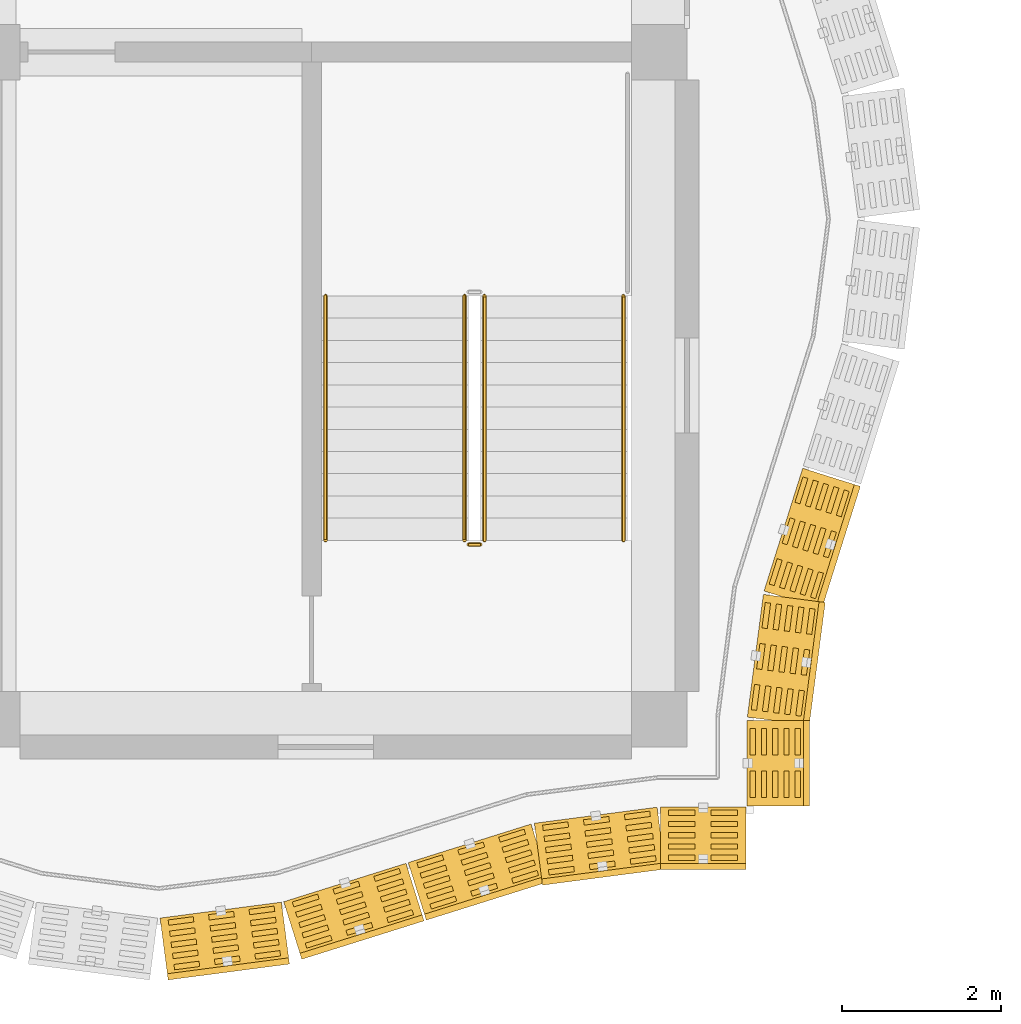
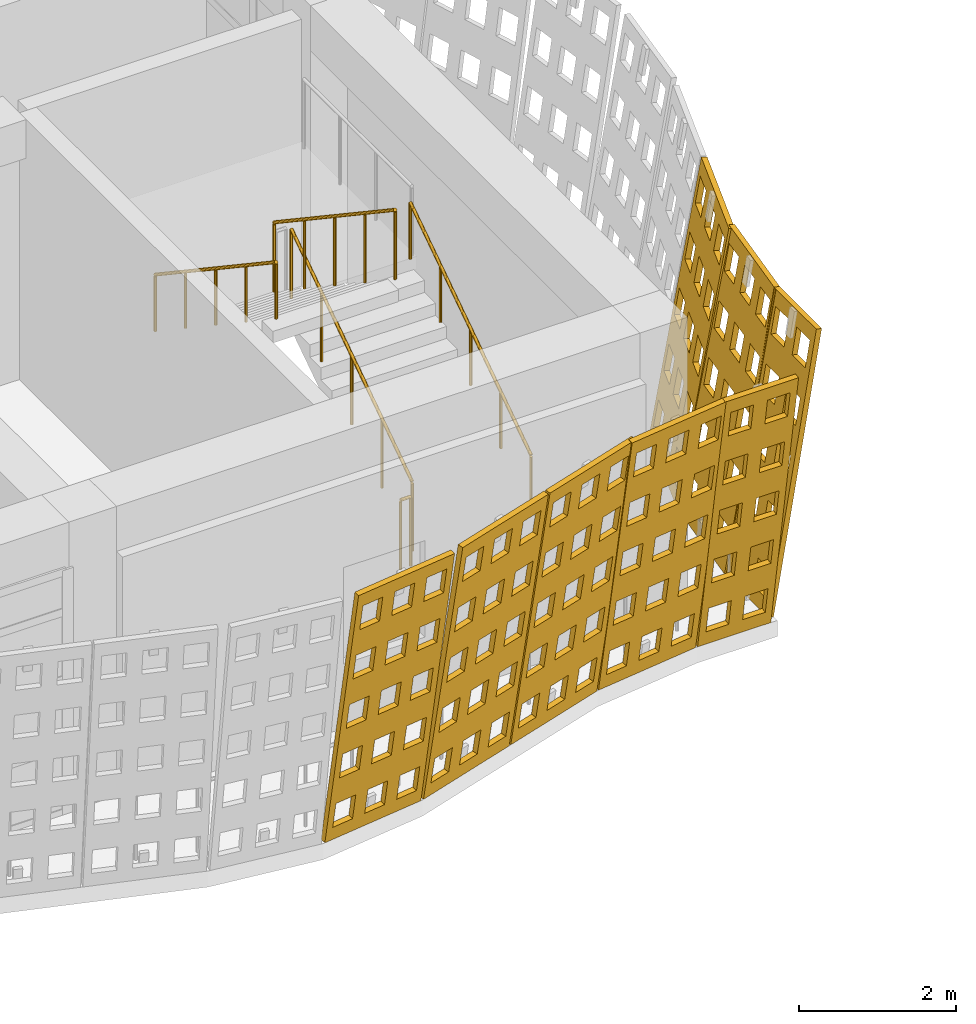
# One storey, part 154 of 163: 8 coverings, 5 railings.
"""IFC4 building model written with IfcOpenShell, lengths in metres."""

from ifc_helpers import new_model, si_unit, direction, frame, origin, origin_2d, place, context, subcontext, project, spatial, polyline, circle, outline, extrude, material, layer, layer_set, type_object, element, save


model = new_model("IFC4")

# Units and contexts
model_context = context("Model", 3, precision=1e-05, world=origin(), true_north=direction((0.0, 1.0)))
body_context = subcontext(model_context, "Body", "Model", "MODEL_VIEW")
ifc_project = project(units=[si_unit("LENGTHUNIT", "METRE"), si_unit("AREAUNIT", "SQUARE_METRE"), si_unit("VOLUMEUNIT", "CUBIC_METRE"), si_unit("PLANEANGLEUNIT", "RADIAN"), si_unit("MASSUNIT", "GRAM", prefix="KILO")], contexts=[model_context])

# Site, building, storey
site_placement = place(None, origin())
site = spatial("IfcSite", under=ifc_project, at=site_placement, CompositionType="ELEMENT")
building_placement = place(site_placement, origin())
building = spatial("IfcBuilding", under=site, at=building_placement, Name="Rain Tree Exposition and Congress Centre", CompositionType="ELEMENT")
storey_placement = place(building_placement, frame((0.0, 0.0, 10.5)))
storey = spatial("IfcBuildingStorey", under=building, at=storey_placement, Name="L02", CompositionType="ELEMENT", Elevation=10.5)

# Coverings
ifc_material_1 = material(Name="Perforated terracotta", Category="masonry")
ifc_layer = layer(ifc_material_1, 0.080078125)
ifc_layer_set = layer_set([ifc_layer], Name="Perforated terracotta")
covering_type = type_object("IfcCoveringType", Name="Terracotta screen 80", PredefinedType="CLADDING", material=ifc_layer_set)
covering_1_placement = place(storey_placement, frame((44.10009765625, -2.587646484375, 0.0), z_axis=(-0.127967328105, 0.978036007662, 0.16452942185), x_axis=(-0.991548658387, -0.129735338481, 0.0)))
element("IfcCovering", 1, at=covering_1_placement, inside=storey, type_object=covering_type, Name="wing/screen/L02/029", PredefinedType="CLADDING", context=body_context, shape_type="SweptSolid", body=[
    extrude(outline(polyline([(-1.56640625, 0.0), (-1.56640625, 4.295166015625), (-0.025390625, 4.295166015625), (-0.025390625, 0.0), (-1.56640625, 0.0)]), holes=[polyline([(-0.123046875, 0.2216796875), (-0.123046875, 0.63720703125), (-0.44140625, 0.63720703125), (-0.44140625, 0.2216796875), (-0.123046875, 0.2216796875)]), polyline([(-0.123046875, 1.080810546875), (-0.123046875, 1.496337890625), (-0.44140625, 1.496337890625), (-0.44140625, 1.080810546875), (-0.123046875, 1.080810546875)]), polyline([(-0.123046875, 1.939697265625), (-0.123046875, 2.35546875), (-0.44140625, 2.35546875), (-0.44140625, 1.939697265625), (-0.123046875, 1.939697265625)]), polyline([(-0.123046875, 2.798583984375), (-0.123046875, 3.21435546875), (-0.44140625, 3.21435546875), (-0.44140625, 2.798583984375), (-0.123046875, 2.798583984375)]), polyline([(-0.123046875, 3.65771484375), (-0.123046875, 4.073486328125), (-0.44140625, 4.073486328125), (-0.44140625, 3.65771484375), (-0.123046875, 3.65771484375)]), polyline([(-0.63671875, 0.2216796875), (-0.63671875, 0.63720703125), (-0.955078125, 0.63720703125), (-0.955078125, 0.2216796875), (-0.63671875, 0.2216796875)]), polyline([(-0.63671875, 1.080810546875), (-0.63671875, 1.496337890625), (-0.955078125, 1.496337890625), (-0.955078125, 1.080810546875), (-0.63671875, 1.080810546875)]), polyline([(-0.63671875, 1.939697265625), (-0.63671875, 2.35546875), (-0.955078125, 2.35546875), (-0.955078125, 1.939697265625), (-0.63671875, 1.939697265625)]), polyline([(-0.63671875, 2.798583984375), (-0.63671875, 3.21435546875), (-0.955078125, 3.21435546875), (-0.955078125, 2.798583984375), (-0.63671875, 2.798583984375)]), polyline([(-0.63671875, 3.65771484375), (-0.63671875, 4.073486328125), (-0.955078125, 4.073486328125), (-0.955078125, 3.65771484375), (-0.63671875, 3.65771484375)]), polyline([(-1.150146484375, 0.2216796875), (-1.150146484375, 0.63720703125), (-1.46875, 0.63720703125), (-1.46875, 0.2216796875), (-1.150146484375, 0.2216796875)]), polyline([(-1.150146484375, 1.080810546875), (-1.150146484375, 1.496337890625), (-1.46875, 1.496337890625), (-1.46875, 1.080810546875), (-1.150146484375, 1.080810546875)]), polyline([(-1.150146484375, 1.939697265625), (-1.150146484375, 2.35546875), (-1.46875, 2.35546875), (-1.46875, 1.939697265625), (-1.150146484375, 1.939697265625)]), polyline([(-1.150146484375, 2.798583984375), (-1.150146484375, 3.21435546875), (-1.46875, 3.21435546875), (-1.46875, 2.798583984375), (-1.150146484375, 2.798583984375)]), polyline([(-1.150146484375, 3.65771484375), (-1.150146484375, 4.073486328125), (-1.46875, 4.073486328125), (-1.46875, 3.65771484375), (-1.150146484375, 3.65771484375)])]), origin(), (0.0, 0.0, 1.0), 0.080078125),
])
covering_2_placement = place(storey_placement, frame((45.675048828125, -2.382568359375, 0.0), z_axis=(-0.295717964052, 0.942029390639, 0.158529217842), x_axis=(-0.954094597562, -0.29950542383, 0.0)))
element("IfcCovering", 2, at=covering_2_placement, inside=storey, type_object=covering_type, Name="wing/screen/L02/030", PredefinedType="CLADDING", context=body_context, shape_type="SweptSolid", body=[
    extrude(outline(polyline([(-1.635986328125, 0.0), (-1.635986328125, 4.291259765625), (-0.02197265625, 4.291259765625), (-0.02197265625, 0.0), (-1.635986328125, 0.0)]), holes=[polyline([(-0.124267578125, 0.221435546875), (-0.124267578125, 0.63671875), (-0.457763671875, 0.63671875), (-0.457763671875, 0.221435546875), (-0.124267578125, 0.221435546875)]), polyline([(-0.124267578125, 1.07958984375), (-0.124267578125, 1.4951171875), (-0.457763671875, 1.4951171875), (-0.457763671875, 1.07958984375), (-0.124267578125, 1.07958984375)]), polyline([(-0.124267578125, 1.93798828125), (-0.124267578125, 2.353271484375), (-0.457763671875, 2.353271484375), (-0.457763671875, 1.93798828125), (-0.124267578125, 1.93798828125)]), polyline([(-0.124267578125, 2.796142578125), (-0.124267578125, 3.21142578125), (-0.457763671875, 3.21142578125), (-0.457763671875, 2.796142578125), (-0.124267578125, 2.796142578125)]), polyline([(-0.124267578125, 3.654541015625), (-0.124267578125, 4.06982421875), (-0.457763671875, 4.06982421875), (-0.457763671875, 3.654541015625), (-0.124267578125, 3.654541015625)]), polyline([(-0.662109375, 0.221435546875), (-0.662109375, 0.63671875), (-0.995849609375, 0.63671875), (-0.995849609375, 0.221435546875), (-0.662109375, 0.221435546875)]), polyline([(-0.662109375, 1.07958984375), (-0.662109375, 1.4951171875), (-0.995849609375, 1.4951171875), (-0.995849609375, 1.07958984375), (-0.662109375, 1.07958984375)]), polyline([(-0.662109375, 1.93798828125), (-0.662109375, 2.353271484375), (-0.995849609375, 2.353271484375), (-0.995849609375, 1.93798828125), (-0.662109375, 1.93798828125)]), polyline([(-0.662109375, 2.796142578125), (-0.662109375, 3.21142578125), (-0.995849609375, 3.21142578125), (-0.995849609375, 2.796142578125), (-0.662109375, 2.796142578125)]), polyline([(-0.662109375, 3.654541015625), (-0.662109375, 4.06982421875), (-0.995849609375, 4.06982421875), (-0.995849609375, 3.654541015625), (-0.662109375, 3.654541015625)]), polyline([(-1.2001953125, 0.221435546875), (-1.2001953125, 0.63671875), (-1.53369140625, 0.63671875), (-1.53369140625, 0.221435546875), (-1.2001953125, 0.221435546875)]), polyline([(-1.2001953125, 1.07958984375), (-1.2001953125, 1.4951171875), (-1.53369140625, 1.4951171875), (-1.53369140625, 1.07958984375), (-1.2001953125, 1.07958984375)]), polyline([(-1.2001953125, 1.93798828125), (-1.2001953125, 2.353271484375), (-1.53369140625, 2.353271484375), (-1.53369140625, 1.93798828125), (-1.2001953125, 1.93798828125)]), polyline([(-1.2001953125, 2.796142578125), (-1.2001953125, 3.21142578125), (-1.53369140625, 3.21142578125), (-1.53369140625, 2.796142578125), (-1.2001953125, 2.796142578125)]), polyline([(-1.2001953125, 3.654541015625), (-1.2001953125, 4.06982421875), (-1.53369140625, 4.06982421875), (-1.53369140625, 3.654541015625), (-1.2001953125, 3.654541015625)])]), origin(), (0.0, 0.0, 1.0), 0.080078125),
])
covering_3_placement = place(storey_placement, frame((47.25, -1.8876953125, 0.0), z_axis=(-0.295717964052, 0.942029390639, 0.158529217842), x_axis=(-0.954094597562, -0.29950542383, 0.0)))
element("IfcCovering", 3, at=covering_3_placement, inside=storey, type_object=covering_type, Name="wing/screen/L02/031", PredefinedType="CLADDING", context=body_context, shape_type="SweptSolid", body=[
    extrude(outline(polyline([(-1.635986328125, 0.0), (-1.635986328125, 4.291259765625), (-0.014892578125, 4.291259765625), (-0.014892578125, 0.0), (-1.635986328125, 0.0)]), holes=[polyline([(-0.11767578125, 0.221435546875), (-0.11767578125, 0.63671875), (-0.45263671875, 0.63671875), (-0.45263671875, 0.221435546875), (-0.11767578125, 0.221435546875)]), polyline([(-0.11767578125, 1.07958984375), (-0.11767578125, 1.4951171875), (-0.45263671875, 1.4951171875), (-0.45263671875, 1.07958984375), (-0.11767578125, 1.07958984375)]), polyline([(-0.11767578125, 1.93798828125), (-0.11767578125, 2.353271484375), (-0.45263671875, 2.353271484375), (-0.45263671875, 1.93798828125), (-0.11767578125, 1.93798828125)]), polyline([(-0.11767578125, 2.796142578125), (-0.11767578125, 3.21142578125), (-0.45263671875, 3.21142578125), (-0.45263671875, 2.796142578125), (-0.11767578125, 2.796142578125)]), polyline([(-0.11767578125, 3.654541015625), (-0.11767578125, 4.06982421875), (-0.45263671875, 4.06982421875), (-0.45263671875, 3.654541015625), (-0.11767578125, 3.654541015625)]), polyline([(-0.657958984375, 0.221435546875), (-0.657958984375, 0.63671875), (-0.992919921875, 0.63671875), (-0.992919921875, 0.221435546875), (-0.657958984375, 0.221435546875)]), polyline([(-0.657958984375, 1.07958984375), (-0.657958984375, 1.4951171875), (-0.992919921875, 1.4951171875), (-0.992919921875, 1.07958984375), (-0.657958984375, 1.07958984375)]), polyline([(-0.657958984375, 1.93798828125), (-0.657958984375, 2.353271484375), (-0.992919921875, 2.353271484375), (-0.992919921875, 1.93798828125), (-0.657958984375, 1.93798828125)]), polyline([(-0.657958984375, 2.796142578125), (-0.657958984375, 3.21142578125), (-0.992919921875, 3.21142578125), (-0.992919921875, 2.796142578125), (-0.657958984375, 2.796142578125)]), polyline([(-0.657958984375, 3.654541015625), (-0.657958984375, 4.06982421875), (-0.992919921875, 4.06982421875), (-0.992919921875, 3.654541015625), (-0.657958984375, 3.654541015625)]), polyline([(-1.1982421875, 0.221435546875), (-1.1982421875, 0.63671875), (-1.533203125, 0.63671875), (-1.533203125, 0.221435546875), (-1.1982421875, 0.221435546875)]), polyline([(-1.1982421875, 1.07958984375), (-1.1982421875, 1.4951171875), (-1.533203125, 1.4951171875), (-1.533203125, 1.07958984375), (-1.1982421875, 1.07958984375)]), polyline([(-1.1982421875, 1.93798828125), (-1.1982421875, 2.353271484375), (-1.533203125, 2.353271484375), (-1.533203125, 1.93798828125), (-1.1982421875, 1.93798828125)]), polyline([(-1.1982421875, 2.796142578125), (-1.1982421875, 3.21142578125), (-1.533203125, 3.21142578125), (-1.533203125, 2.796142578125), (-1.1982421875, 2.796142578125)]), polyline([(-1.1982421875, 3.654541015625), (-1.1982421875, 4.06982421875), (-1.533203125, 4.06982421875), (-1.533203125, 3.654541015625), (-1.1982421875, 3.654541015625)])]), origin(), (0.0, 0.0, 1.0), 0.080078125),
])
covering_4_placement = place(storey_placement, frame((48.824951171875, -1.392578125, 0.0), z_axis=(-0.127967328105, 0.978036007662, 0.16452942185), x_axis=(-0.991548658387, -0.129735338481, 0.0)))
element("IfcCovering", 4, at=covering_4_placement, inside=storey, type_object=covering_type, Name="wing/screen/L02/032", PredefinedType="CLADDING", context=body_context, shape_type="SweptSolid", body=[
    extrude(outline(polyline([(-1.5732421875, 0.0), (-1.5732421875, 4.295166015625), (-0.014892578125, 4.295166015625), (-0.014892578125, 0.0), (-1.5732421875, 0.0)]), holes=[polyline([(-0.11376953125, 0.2216796875), (-0.11376953125, 0.63720703125), (-0.435791015625, 0.63720703125), (-0.435791015625, 0.2216796875), (-0.11376953125, 0.2216796875)]), polyline([(-0.11376953125, 1.080810546875), (-0.11376953125, 1.496337890625), (-0.435791015625, 1.496337890625), (-0.435791015625, 1.080810546875), (-0.11376953125, 1.080810546875)]), polyline([(-0.11376953125, 1.939697265625), (-0.11376953125, 2.35546875), (-0.435791015625, 2.35546875), (-0.435791015625, 1.939697265625), (-0.11376953125, 1.939697265625)]), polyline([(-0.11376953125, 2.798583984375), (-0.11376953125, 3.21435546875), (-0.435791015625, 3.21435546875), (-0.435791015625, 2.798583984375), (-0.11376953125, 2.798583984375)]), polyline([(-0.11376953125, 3.65771484375), (-0.11376953125, 4.073486328125), (-0.435791015625, 4.073486328125), (-0.435791015625, 3.65771484375), (-0.11376953125, 3.65771484375)]), polyline([(-0.633056640625, 0.2216796875), (-0.633056640625, 0.63720703125), (-0.955078125, 0.63720703125), (-0.955078125, 0.2216796875), (-0.633056640625, 0.2216796875)]), polyline([(-0.633056640625, 1.080810546875), (-0.633056640625, 1.496337890625), (-0.955078125, 1.496337890625), (-0.955078125, 1.080810546875), (-0.633056640625, 1.080810546875)]), polyline([(-0.633056640625, 1.939697265625), (-0.633056640625, 2.35546875), (-0.955078125, 2.35546875), (-0.955078125, 1.939697265625), (-0.633056640625, 1.939697265625)]), polyline([(-0.633056640625, 2.798583984375), (-0.633056640625, 3.21435546875), (-0.955078125, 3.21435546875), (-0.955078125, 2.798583984375), (-0.633056640625, 2.798583984375)]), polyline([(-0.633056640625, 3.65771484375), (-0.633056640625, 4.073486328125), (-0.955078125, 4.073486328125), (-0.955078125, 3.65771484375), (-0.633056640625, 3.65771484375)]), polyline([(-1.152587890625, 0.2216796875), (-1.152587890625, 0.63720703125), (-1.474609375, 0.63720703125), (-1.474609375, 0.2216796875), (-1.152587890625, 0.2216796875)]), polyline([(-1.152587890625, 1.080810546875), (-1.152587890625, 1.496337890625), (-1.474609375, 1.496337890625), (-1.474609375, 1.080810546875), (-1.152587890625, 1.080810546875)]), polyline([(-1.152587890625, 1.939697265625), (-1.152587890625, 2.35546875), (-1.474609375, 2.35546875), (-1.474609375, 1.939697265625), (-1.152587890625, 1.939697265625)]), polyline([(-1.152587890625, 2.798583984375), (-1.152587890625, 3.21435546875), (-1.474609375, 3.21435546875), (-1.474609375, 2.798583984375), (-1.152587890625, 2.798583984375)]), polyline([(-1.152587890625, 3.65771484375), (-1.152587890625, 4.073486328125), (-1.474609375, 4.073486328125), (-1.474609375, 3.65771484375), (-1.152587890625, 3.65771484375)])]), origin(), (0.0, 0.0, 1.0), 0.080078125),
])
covering_5_placement = place(storey_placement, frame((50.39990234375, -1.1875, 0.0), z_axis=(0.0, 0.986311269939, 0.1648941442), x_axis=(-1.0, 0.0, 0.0)))
element("IfcCovering", 5, at=covering_5_placement, inside=storey, type_object=covering_type, Name="wing/screen/L02/033", PredefinedType="CLADDING", context=body_context, shape_type="SweptSolid", body=[
    extrude(outline(polyline([(-1.092529296875, 0.0), (-1.092529296875, 4.2958984375), (-0.014892578125, 4.2958984375), (-0.014892578125, 0.0), (-1.092529296875, 0.0)]), holes=[polyline([(-0.117431640625, 0.2216796875), (-0.117431640625, 0.637451171875), (-0.451416015625, 0.637451171875), (-0.451416015625, 0.2216796875), (-0.117431640625, 0.2216796875)]), polyline([(-0.117431640625, 1.080810546875), (-0.117431640625, 1.49658203125), (-0.451416015625, 1.49658203125), (-0.451416015625, 1.080810546875), (-0.117431640625, 1.080810546875)]), polyline([(-0.117431640625, 1.940185546875), (-0.117431640625, 2.355712890625), (-0.451416015625, 2.355712890625), (-0.451416015625, 1.940185546875), (-0.117431640625, 1.940185546875)]), polyline([(-0.117431640625, 2.79931640625), (-0.117431640625, 3.215087890625), (-0.451416015625, 3.215087890625), (-0.451416015625, 2.79931640625), (-0.117431640625, 2.79931640625)]), polyline([(-0.117431640625, 3.658447265625), (-0.117431640625, 4.07421875), (-0.451416015625, 4.07421875), (-0.451416015625, 3.658447265625), (-0.117431640625, 3.658447265625)]), polyline([(-0.65625, 0.2216796875), (-0.65625, 0.637451171875), (-0.990234375, 0.637451171875), (-0.990234375, 0.2216796875), (-0.65625, 0.2216796875)]), polyline([(-0.65625, 1.080810546875), (-0.65625, 1.49658203125), (-0.990234375, 1.49658203125), (-0.990234375, 1.080810546875), (-0.65625, 1.080810546875)]), polyline([(-0.65625, 1.940185546875), (-0.65625, 2.355712890625), (-0.990234375, 2.355712890625), (-0.990234375, 1.940185546875), (-0.65625, 1.940185546875)]), polyline([(-0.65625, 2.79931640625), (-0.65625, 3.215087890625), (-0.990234375, 3.215087890625), (-0.990234375, 2.79931640625), (-0.65625, 2.79931640625)]), polyline([(-0.65625, 3.658447265625), (-0.65625, 4.07421875), (-0.990234375, 4.07421875), (-0.990234375, 3.658447265625), (-0.65625, 3.658447265625)])]), origin(), (0.0, 0.0, 1.0), 0.079833984375),
])
covering_6_placement = place(storey_placement, frame((51.587646484375, -1.1875, 0.0), z_axis=(-0.986311269939, 0.0, 0.1648941442), x_axis=(0.0, -1.0, 0.0)))
element("IfcCovering", 6, at=covering_6_placement, inside=storey, type_object=covering_type, Name="wing/screen/L02/034", PredefinedType="CLADDING", context=body_context, shape_type="SweptSolid", body=[
    extrude(outline(polyline([(-1.172607421875, 0.0), (-1.172607421875, 4.2958984375), (-0.094970703125, 4.2958984375), (-0.094970703125, 0.0), (-1.172607421875, 0.0)]), holes=[polyline([(-0.197509765625, 0.2216796875), (-0.197509765625, 0.637451171875), (-0.531494140625, 0.637451171875), (-0.531494140625, 0.2216796875), (-0.197509765625, 0.2216796875)]), polyline([(-0.197509765625, 1.080810546875), (-0.197509765625, 1.49658203125), (-0.531494140625, 1.49658203125), (-0.531494140625, 1.080810546875), (-0.197509765625, 1.080810546875)]), polyline([(-0.197509765625, 1.940185546875), (-0.197509765625, 2.355712890625), (-0.531494140625, 2.355712890625), (-0.531494140625, 1.940185546875), (-0.197509765625, 1.940185546875)]), polyline([(-0.197509765625, 2.79931640625), (-0.197509765625, 3.215087890625), (-0.531494140625, 3.215087890625), (-0.531494140625, 2.79931640625), (-0.197509765625, 2.79931640625)]), polyline([(-0.197509765625, 3.658447265625), (-0.197509765625, 4.07421875), (-0.531494140625, 4.07421875), (-0.531494140625, 3.658447265625), (-0.197509765625, 3.658447265625)]), polyline([(-0.736083984375, 0.2216796875), (-0.736083984375, 0.637451171875), (-1.0703125, 0.637451171875), (-1.0703125, 0.2216796875), (-0.736083984375, 0.2216796875)]), polyline([(-0.736083984375, 1.080810546875), (-0.736083984375, 1.49658203125), (-1.0703125, 1.49658203125), (-1.0703125, 1.080810546875), (-0.736083984375, 1.080810546875)]), polyline([(-0.736083984375, 1.940185546875), (-0.736083984375, 2.355712890625), (-1.0703125, 2.355712890625), (-1.0703125, 1.940185546875), (-0.736083984375, 1.940185546875)]), polyline([(-0.736083984375, 2.79931640625), (-0.736083984375, 3.215087890625), (-1.0703125, 3.215087890625), (-1.0703125, 2.79931640625), (-0.736083984375, 2.79931640625)]), polyline([(-0.736083984375, 3.658447265625), (-0.736083984375, 4.07421875), (-1.0703125, 4.07421875), (-1.0703125, 3.658447265625), (-0.736083984375, 3.658447265625)])]), origin(), (0.0, 0.0, 1.0), 0.079833984375),
])
covering_7_placement = place(storey_placement, frame((51.587646484375, 0.0, 0.0), z_axis=(-0.978036007662, 0.127967328105, 0.16452942185), x_axis=(-0.129735338481, -0.991548658387, 0.0)))
element("IfcCovering", 7, at=covering_7_placement, inside=storey, type_object=covering_type, Name="wing/screen/L02/035", PredefinedType="CLADDING", context=body_context, shape_type="SweptSolid", body=[
    extrude(outline(polyline([(-1.5732421875, 0.0), (-1.5732421875, 4.295166015625), (-0.014892578125, 4.295166015625), (-0.014892578125, 0.0), (-1.5732421875, 0.0)]), holes=[polyline([(-0.11376953125, 0.2216796875), (-0.11376953125, 0.63720703125), (-0.435791015625, 0.63720703125), (-0.435791015625, 0.2216796875), (-0.11376953125, 0.2216796875)]), polyline([(-0.11376953125, 1.080810546875), (-0.11376953125, 1.496337890625), (-0.435791015625, 1.496337890625), (-0.435791015625, 1.080810546875), (-0.11376953125, 1.080810546875)]), polyline([(-0.11376953125, 1.939697265625), (-0.11376953125, 2.35546875), (-0.435791015625, 2.35546875), (-0.435791015625, 1.939697265625), (-0.11376953125, 1.939697265625)]), polyline([(-0.11376953125, 2.798583984375), (-0.11376953125, 3.21435546875), (-0.435791015625, 3.21435546875), (-0.435791015625, 2.798583984375), (-0.11376953125, 2.798583984375)]), polyline([(-0.11376953125, 3.65771484375), (-0.11376953125, 4.073486328125), (-0.435791015625, 4.073486328125), (-0.435791015625, 3.65771484375), (-0.11376953125, 3.65771484375)]), polyline([(-0.633056640625, 0.2216796875), (-0.633056640625, 0.63720703125), (-0.955078125, 0.63720703125), (-0.955078125, 0.2216796875), (-0.633056640625, 0.2216796875)]), polyline([(-0.633056640625, 1.080810546875), (-0.633056640625, 1.496337890625), (-0.955078125, 1.496337890625), (-0.955078125, 1.080810546875), (-0.633056640625, 1.080810546875)]), polyline([(-0.633056640625, 1.939697265625), (-0.633056640625, 2.35546875), (-0.955078125, 2.35546875), (-0.955078125, 1.939697265625), (-0.633056640625, 1.939697265625)]), polyline([(-0.633056640625, 2.798583984375), (-0.633056640625, 3.21435546875), (-0.955078125, 3.21435546875), (-0.955078125, 2.798583984375), (-0.633056640625, 2.798583984375)]), polyline([(-0.633056640625, 3.65771484375), (-0.633056640625, 4.073486328125), (-0.955078125, 4.073486328125), (-0.955078125, 3.65771484375), (-0.633056640625, 3.65771484375)]), polyline([(-1.152587890625, 0.2216796875), (-1.152587890625, 0.63720703125), (-1.474609375, 0.63720703125), (-1.474609375, 0.2216796875), (-1.152587890625, 0.2216796875)]), polyline([(-1.152587890625, 1.080810546875), (-1.152587890625, 1.496337890625), (-1.474609375, 1.496337890625), (-1.474609375, 1.080810546875), (-1.152587890625, 1.080810546875)]), polyline([(-1.152587890625, 1.939697265625), (-1.152587890625, 2.35546875), (-1.474609375, 2.35546875), (-1.474609375, 1.939697265625), (-1.152587890625, 1.939697265625)]), polyline([(-1.152587890625, 2.798583984375), (-1.152587890625, 3.21435546875), (-1.474609375, 3.21435546875), (-1.474609375, 2.798583984375), (-1.152587890625, 2.798583984375)]), polyline([(-1.152587890625, 3.65771484375), (-1.152587890625, 4.073486328125), (-1.474609375, 4.073486328125), (-1.474609375, 3.65771484375), (-1.152587890625, 3.65771484375)])]), origin(), (0.0, 0.0, 1.0), 0.080078125),
])
covering_8_placement = place(storey_placement, frame((51.79248046875, 1.574951171875, 0.0), z_axis=(-0.941684688936, 0.296569528658, 0.158985726703), x_axis=(-0.300390227601, -0.953816392794, 0.0)))
element("IfcCovering", 8, at=covering_8_placement, inside=storey, type_object=covering_type, Name="wing/screen/L02/036", PredefinedType="CLADDING", context=body_context, shape_type="SweptSolid", body=[
    extrude(outline(polyline([(-1.635986328125, 0.0), (-1.635986328125, 4.291259765625), (-0.014892578125, 4.291259765625), (-0.014892578125, 0.0), (-1.635986328125, 0.0)]), holes=[polyline([(-0.11767578125, 0.221435546875), (-0.11767578125, 0.63671875), (-0.45263671875, 0.63671875), (-0.45263671875, 0.221435546875), (-0.11767578125, 0.221435546875)]), polyline([(-0.11767578125, 1.07958984375), (-0.11767578125, 1.4951171875), (-0.45263671875, 1.4951171875), (-0.45263671875, 1.07958984375), (-0.11767578125, 1.07958984375)]), polyline([(-0.11767578125, 1.93798828125), (-0.11767578125, 2.353271484375), (-0.45263671875, 2.353271484375), (-0.45263671875, 1.93798828125), (-0.11767578125, 1.93798828125)]), polyline([(-0.11767578125, 2.796142578125), (-0.11767578125, 3.21142578125), (-0.45263671875, 3.21142578125), (-0.45263671875, 2.796142578125), (-0.11767578125, 2.796142578125)]), polyline([(-0.11767578125, 3.654541015625), (-0.11767578125, 4.06982421875), (-0.45263671875, 4.06982421875), (-0.45263671875, 3.654541015625), (-0.11767578125, 3.654541015625)]), polyline([(-0.657958984375, 0.221435546875), (-0.657958984375, 0.63671875), (-0.992919921875, 0.63671875), (-0.992919921875, 0.221435546875), (-0.657958984375, 0.221435546875)]), polyline([(-0.657958984375, 1.07958984375), (-0.657958984375, 1.4951171875), (-0.992919921875, 1.4951171875), (-0.992919921875, 1.07958984375), (-0.657958984375, 1.07958984375)]), polyline([(-0.657958984375, 1.93798828125), (-0.657958984375, 2.353271484375), (-0.992919921875, 2.353271484375), (-0.992919921875, 1.93798828125), (-0.657958984375, 1.93798828125)]), polyline([(-0.657958984375, 2.796142578125), (-0.657958984375, 3.21142578125), (-0.992919921875, 3.21142578125), (-0.992919921875, 2.796142578125), (-0.657958984375, 2.796142578125)]), polyline([(-0.657958984375, 3.654541015625), (-0.657958984375, 4.06982421875), (-0.992919921875, 4.06982421875), (-0.992919921875, 3.654541015625), (-0.657958984375, 3.654541015625)]), polyline([(-1.1982421875, 0.221435546875), (-1.1982421875, 0.63671875), (-1.533203125, 0.63671875), (-1.533203125, 0.221435546875), (-1.1982421875, 0.221435546875)]), polyline([(-1.1982421875, 1.07958984375), (-1.1982421875, 1.4951171875), (-1.533203125, 1.4951171875), (-1.533203125, 1.07958984375), (-1.1982421875, 1.07958984375)]), polyline([(-1.1982421875, 1.93798828125), (-1.1982421875, 2.353271484375), (-1.533203125, 2.353271484375), (-1.533203125, 1.93798828125), (-1.1982421875, 1.93798828125)]), polyline([(-1.1982421875, 2.796142578125), (-1.1982421875, 3.21142578125), (-1.533203125, 3.21142578125), (-1.533203125, 2.796142578125), (-1.1982421875, 2.796142578125)]), polyline([(-1.1982421875, 3.654541015625), (-1.1982421875, 4.06982421875), (-1.533203125, 4.06982421875), (-1.533203125, 3.654541015625), (-1.1982421875, 3.654541015625)])]), origin(), (0.0, 0.0, 1.0), 0.079833984375),
])

# Railings
ifc_material_2 = material(Name="Steel S355J2H", Category="steel")
railing_type_1 = type_object("IfcRailingType", Name="Wing stair guard 1100", PredefinedType="GUARDRAIL", material=ifc_material_2)
railing_1_placement = place(storey_placement, frame((48.199951171875, 2.25, 0.1875)))
element("IfcRailing", 9, at=railing_1_placement, inside=storey, type_object=railing_type_1, Name="L02 ST-W2 stair guard 1", PredefinedType="GUARDRAIL", context=body_context, shape_type="SweptSolid", body=[
    extrude(circle(Radius=0.02392578125, at=origin_2d()), frame((0.0, 0.0, 1.076171875), z_axis=(0.0, 0.830913701846, 0.55640131208), x_axis=(-1.0, 0.0, 0.0)), (0.0, 0.0, 1.0), 3.706787109375),
    extrude(circle(Radius=0.02099609375, at=origin_2d()), origin(), (0.0, 0.0, 1.0), 1.052001953125),
    extrude(circle(Radius=0.02099609375, at=origin_2d()), frame((0.0, 0.77001953125, 0.515625)), (0.0, 0.0, 1.0), 1.052001953125),
    extrude(circle(Radius=0.02099609375, at=origin_2d()), frame((0.0, 1.5400390625, 1.03125)), (0.0, 0.0, 1.0), 1.052001953125),
    extrude(circle(Radius=0.02099609375, at=origin_2d()), frame((0.0, 2.31005859375, 1.546875)), (0.0, 0.0, 1.0), 1.052001953125),
    extrude(circle(Radius=0.02099609375, at=origin_2d()), frame((0.0, 3.080078125, 2.0625)), (0.0, 0.0, 1.0), 1.052001953125),
])
railing_2_placement = place(storey_placement, frame((47.949951171875, 5.330078125, 2.4375)))
element("IfcRailing", 10, at=railing_2_placement, inside=storey, type_object=railing_type_1, Name="L02 ST-W2 stair guard 3", PredefinedType="GUARDRAIL", context=body_context, shape_type="SweptSolid", body=[
    extrude(circle(Radius=0.02392578125, at=origin_2d()), frame((0.0, 0.0, 1.076171875), z_axis=(0.0, -0.830913701846, 0.55640131208), x_axis=(1.0, 0.0, 0.0)), (0.0, 0.0, 1.0), 3.706787109375),
    extrude(circle(Radius=0.02099609375, at=origin_2d()), origin(), (0.0, 0.0, 1.0), 1.052001953125),
    extrude(circle(Radius=0.02099609375, at=origin_2d()), frame((0.0, -0.77001953125, 0.515625)), (0.0, 0.0, 1.0), 1.052001953125),
    extrude(circle(Radius=0.02099609375, at=origin_2d()), frame((0.0, -1.5400390625, 1.03125)), (0.0, 0.0, 1.0), 1.052001953125),
    extrude(circle(Radius=0.02099609375, at=origin_2d()), frame((0.0, -2.31005859375, 1.546875)), (0.0, 0.0, 1.0), 1.052001953125),
    extrude(circle(Radius=0.02099609375, at=origin_2d()), frame((0.0, -3.080078125, 2.0625)), (0.0, 0.0, 1.0), 1.052001953125),
])
railing_3_placement = place(storey_placement, frame((48.14990234375, 2.199951171875, 0.0)))
element("IfcRailing", 11, at=railing_3_placement, inside=storey, type_object=railing_type_1, Name="L02 ST-W2 stair guard 4", PredefinedType="GUARDRAIL", context=body_context, shape_type="SweptSolid", body=[
    extrude(circle(Radius=0.02392578125, at=origin_2d()), frame((0.0, 0.0, 1.076171875), z_axis=(-1.0, 0.0, 0.0), x_axis=(0.0, -1.0, 0.0)), (0.0, 0.0, 1.0), 0.14990234375),
    extrude(circle(Radius=0.02099609375, at=origin_2d()), origin(), (0.0, 0.0, 1.0), 1.052001953125),
    extrude(circle(Radius=0.02099609375, at=origin_2d()), frame((-0.14990234375, 0.0, 0.0)), (0.0, 0.0, 1.0), 1.052001953125),
])
ifc_material_3 = material(Name="Steel S355J2H", Category="steel")
railing_type_2 = type_object("IfcRailingType", Name="Wing stair handrail 900", PredefinedType="HANDRAIL", material=ifc_material_3)
railing_4_placement = place(storey_placement, frame((49.949951171875, 2.25, 0.1875)))
element("IfcRailing", 12, at=railing_4_placement, inside=storey, type_object=railing_type_2, Name="L02 ST-W2 stair handrail 1", PredefinedType="HANDRAIL", context=body_context, shape_type="SweptSolid", body=[
    extrude(circle(Radius=0.02392578125, at=origin_2d()), frame((0.0, 0.0, 0.8759765625), z_axis=(0.0, 0.830913701846, 0.55640131208), x_axis=(-1.0, 0.0, 0.0)), (0.0, 0.0, 1.0), 3.706787109375),
    extrude(circle(Radius=0.02099609375, at=origin_2d()), origin(), (0.0, 0.0, 1.0), 0.851806640625),
    extrude(circle(Radius=0.02099609375, at=origin_2d()), frame((0.0, 0.77001953125, 0.515625)), (0.0, 0.0, 1.0), 0.851806640625),
    extrude(circle(Radius=0.02099609375, at=origin_2d()), frame((0.0, 1.5400390625, 1.03125)), (0.0, 0.0, 1.0), 0.851806640625),
    extrude(circle(Radius=0.02099609375, at=origin_2d()), frame((0.0, 2.31005859375, 1.546875)), (0.0, 0.0, 1.0), 0.851806640625),
    extrude(circle(Radius=0.02099609375, at=origin_2d()), frame((0.0, 3.080078125, 2.0625)), (0.0, 0.0, 1.0), 0.851806640625),
])
railing_5_placement = place(storey_placement, frame((46.199951171875, 5.330078125, 2.4375)))
element("IfcRailing", 13, at=railing_5_placement, inside=storey, type_object=railing_type_2, Name="L02 ST-W2 stair handrail 2", PredefinedType="HANDRAIL", context=body_context, shape_type="SweptSolid", body=[
    extrude(circle(Radius=0.02392578125, at=origin_2d()), frame((0.0, 0.0, 0.8759765625), z_axis=(0.0, -0.830913701846, 0.55640131208), x_axis=(1.0, 0.0, 0.0)), (0.0, 0.0, 1.0), 3.706787109375),
    extrude(circle(Radius=0.02099609375, at=origin_2d()), origin(), (0.0, 0.0, 1.0), 0.851806640625),
    extrude(circle(Radius=0.02099609375, at=origin_2d()), frame((0.0, -0.77001953125, 0.515625)), (0.0, 0.0, 1.0), 0.851806640625),
    extrude(circle(Radius=0.02099609375, at=origin_2d()), frame((0.0, -1.5400390625, 1.03125)), (0.0, 0.0, 1.0), 0.851806640625),
    extrude(circle(Radius=0.02099609375, at=origin_2d()), frame((0.0, -2.31005859375, 1.546875)), (0.0, 0.0, 1.0), 0.851806640625),
    extrude(circle(Radius=0.02099609375, at=origin_2d()), frame((0.0, -3.080078125, 2.0625)), (0.0, 0.0, 1.0), 0.851806640625),
])

save(model, "model.ifc")
